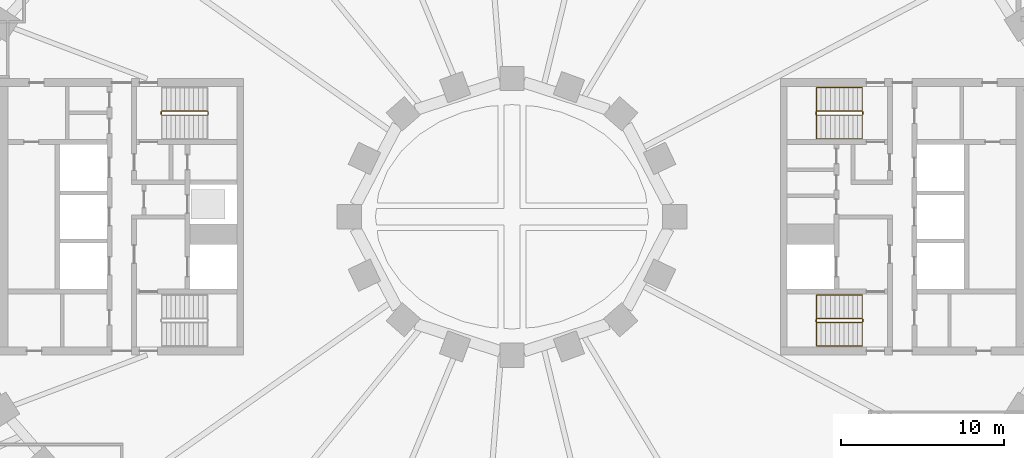
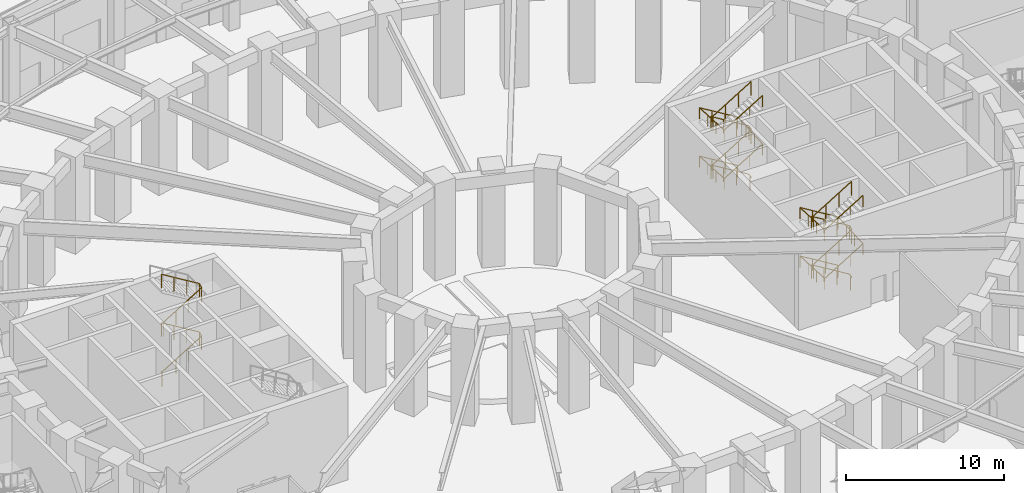
# One storey, part 75 of 79: 5 railings.
"""IFC4 building model written with IfcOpenShell, lengths in metres."""

from ifc_helpers import new_model, si_unit, direction, frame, origin, origin_2d, place, context, subcontext, project, spatial, rectangle, extrude, material, type_object, element, save


model = new_model("IFC4")

# Units and contexts
model_context = context("Model", 3, precision=1e-05, world=origin(), true_north=direction((0.0, 1.0)))
body_context = subcontext(model_context, "Body", "Model", "MODEL_VIEW")
ifc_project = project(units=[si_unit("LENGTHUNIT", "METRE"), si_unit("AREAUNIT", "SQUARE_METRE"), si_unit("VOLUMEUNIT", "CUBIC_METRE"), si_unit("PLANEANGLEUNIT", "RADIAN"), si_unit("MASSUNIT", "GRAM", prefix="KILO")], contexts=[model_context])

# Site, building, storey
site_placement = place(None, origin())
site = spatial("IfcSite", under=ifc_project, at=site_placement, CompositionType="ELEMENT")
building_placement = place(site_placement, origin())
building = spatial("IfcBuilding", under=site, at=building_placement, Name="Noorbagh Ring Tower", CompositionType="ELEMENT")
storey_placement = place(building_placement, origin())
storey = spatial("IfcBuildingStorey", under=building, at=storey_placement, Name="L00", CompositionType="ELEMENT", Elevation=0.0)

# Railings
ifc_material_1 = material(Name="Stainless steel", Category="steel")
railing_type_1 = type_object("IfcRailingType", Name="CORE-STAIR-GUARD", PredefinedType="GUARDRAIL", material=ifc_material_1)
railing_1_placement = place(storey_placement, frame((-21.580078125, 6.300048828125, 0.0)))
element("IfcRailing", 1, at=railing_1_placement, inside=storey, type_object=railing_type_1, Name="L00 ST1 stair guard", PredefinedType="GUARDRAIL", context=body_context, shape_type="SweptSolid", body=[
    extrude(rectangle(XDim=0.048095703125, YDim=0.048095703125, at=origin_2d()), frame((0.0, 0.0, 1.076171875), z_axis=(0.0, 1.0, 0.0), x_axis=(-1.0, 0.0, 0.0)), (0.0, 0.0, 1.0), 0.14990234375),
    extrude(rectangle(XDim=0.048095703125, YDim=0.048095703125, at=origin_2d()), frame((0.0, 0.14990234375, 1.076171875), z_axis=(0.18713932023, -0.747644406186, 0.637186563514), x_axis=(0.970072785993, 0.242814311512, 0.0)), (0.0, 0.0, 1.0), 0.267333984375),
    extrude(rectangle(XDim=0.048095703125, YDim=0.048095703125, at=origin_2d()), frame((0.050048828125, -0.050048828125, 1.24658203125), z_axis=(0.854169791009, 0.0, 0.51999420009), x_axis=(0.0, 1.0, 0.0)), (0.0, 0.0, 1.0), 3.278076171875),
    extrude(rectangle(XDim=0.048095703125, YDim=0.048095703125, at=origin_2d()), frame((2.85009765625, -0.050048828125, 2.951171875), z_axis=(0.707106781187, 0.707106781187, 0.0), x_axis=(-0.707106781187, 0.707106781187, 0.0)), (0.0, 0.0, 1.0), 0.07080078125),
    extrude(rectangle(XDim=0.048095703125, YDim=0.048095703125, at=origin_2d()), frame((2.900146484375, 0.0, 2.951171875), z_axis=(0.0, 1.0, 0.0), x_axis=(-1.0, 0.0, 0.0)), (0.0, 0.0, 1.0), 0.14990234375),
    extrude(rectangle(XDim=0.048095703125, YDim=0.048095703125, at=origin_2d()), frame((2.900146484375, 0.14990234375, 2.951171875), z_axis=(-0.271230943075, 0.271230943075, 0.923508284228), x_axis=(-0.707106781187, -0.707106781187, 0.0)), (0.0, 0.0, 1.0), 0.1845703125),
    extrude(rectangle(XDim=0.048095703125, YDim=0.048095703125, at=origin_2d()), frame((2.85009765625, 0.199951171875, 3.12158203125), z_axis=(-0.854169791009, 0.0, 0.51999420009), x_axis=(0.0, -1.0, 0.0)), (0.0, 0.0, 1.0), 3.278076171875),
    extrude(rectangle(XDim=0.048095703125, YDim=0.048095703125, at=origin_2d()), frame((0.050048828125, 0.199951171875, 4.826171875), z_axis=(-0.242814311512, -0.970072785993, 0.0), x_axis=(0.970072785993, -0.242814311512, 0.0)), (0.0, 0.0, 1.0), 0.2060546875),
    extrude(rectangle(XDim=0.048095703125, YDim=0.048095703125, at=origin_2d()), frame((0.0, 0.0, 4.826171875), z_axis=(0.0, 1.0, 0.0), x_axis=(-1.0, 0.0, 0.0)), (0.0, 0.0, 1.0), 0.14990234375),
    extrude(rectangle(XDim=0.048095703125, YDim=0.048095703125, at=origin_2d()), frame((0.0, 0.14990234375, 4.826171875), z_axis=(0.18713932023, -0.747644406186, 0.637186563514), x_axis=(0.970072785993, 0.242814311512, 0.0)), (0.0, 0.0, 1.0), 0.267333984375),
    extrude(rectangle(XDim=0.048095703125, YDim=0.048095703125, at=origin_2d()), frame((0.050048828125, -0.050048828125, 4.99658203125), z_axis=(0.854169791009, 0.0, 0.51999420009), x_axis=(0.0, 1.0, 0.0)), (0.0, 0.0, 1.0), 3.278076171875),
    extrude(rectangle(XDim=0.048095703125, YDim=0.048095703125, at=origin_2d()), frame((2.85009765625, -0.050048828125, 6.701171875), z_axis=(0.707106781187, 0.707106781187, 0.0), x_axis=(-0.707106781187, 0.707106781187, 0.0)), (0.0, 0.0, 1.0), 0.07080078125),
    extrude(rectangle(XDim=0.048095703125, YDim=0.048095703125, at=origin_2d()), frame((2.900146484375, 0.0, 6.701171875), z_axis=(0.0, 1.0, 0.0), x_axis=(-1.0, 0.0, 0.0)), (0.0, 0.0, 1.0), 0.14990234375),
    extrude(rectangle(XDim=0.048095703125, YDim=0.048095703125, at=origin_2d()), frame((2.900146484375, 0.14990234375, 6.701171875), z_axis=(-0.271230943075, 0.271230943075, 0.923508284228), x_axis=(-0.707106781187, -0.707106781187, 0.0)), (0.0, 0.0, 1.0), 0.1845703125),
    extrude(rectangle(XDim=0.048095703125, YDim=0.048095703125, at=origin_2d()), frame((2.85009765625, 0.199951171875, 6.87158203125), z_axis=(-0.854169791009, 0.0, 0.51999420009), x_axis=(0.0, -1.0, 0.0)), (0.0, 0.0, 1.0), 3.278076171875),
    extrude(rectangle(XDim=0.0419921875, YDim=0.0419921875, at=origin_2d()), origin(), (0.0, 0.0, 1.0), 1.052001953125),
    extrude(rectangle(XDim=0.0419921875, YDim=0.0419921875, at=origin_2d()), frame((0.9833984375, -0.050048828125, 0.738525390625)), (0.0, 0.0, 1.0), 1.052001953125),
    extrude(rectangle(XDim=0.0419921875, YDim=0.0419921875, at=origin_2d()), frame((1.916748046875, -0.050048828125, 1.306884765625)), (0.0, 0.0, 1.0), 1.052001953125),
    extrude(rectangle(XDim=0.0419921875, YDim=0.0419921875, at=origin_2d()), frame((2.85009765625, -0.050048828125, 1.875)), (0.0, 0.0, 1.0), 1.052001953125),
    extrude(rectangle(XDim=0.0419921875, YDim=0.0419921875, at=origin_2d()), frame((2.85009765625, 0.199951171875, 2.04541015625)), (0.0, 0.0, 1.0), 1.052001953125),
    extrude(rectangle(XDim=0.0419921875, YDim=0.0419921875, at=origin_2d()), frame((1.916748046875, 0.199951171875, 2.613525390625)), (0.0, 0.0, 1.0), 1.052001953125),
    extrude(rectangle(XDim=0.0419921875, YDim=0.0419921875, at=origin_2d()), frame((0.9833984375, 0.199951171875, 3.181884765625)), (0.0, 0.0, 1.0), 1.052001953125),
    extrude(rectangle(XDim=0.0419921875, YDim=0.0419921875, at=origin_2d()), frame((0.050048828125, 0.199951171875, 3.75)), (0.0, 0.0, 1.0), 1.052001953125),
    extrude(rectangle(XDim=0.0419921875, YDim=0.0419921875, at=origin_2d()), frame((0.050048828125, -0.050048828125, 3.92041015625)), (0.0, 0.0, 1.0), 1.052001953125),
    extrude(rectangle(XDim=0.0419921875, YDim=0.0419921875, at=origin_2d()), frame((0.9833984375, -0.050048828125, 4.488525390625)), (0.0, 0.0, 1.0), 1.052001953125),
    extrude(rectangle(XDim=0.0419921875, YDim=0.0419921875, at=origin_2d()), frame((1.916748046875, -0.050048828125, 5.056884765625)), (0.0, 0.0, 1.0), 1.052001953125),
    extrude(rectangle(XDim=0.0419921875, YDim=0.0419921875, at=origin_2d()), frame((2.85009765625, -0.050048828125, 5.625)), (0.0, 0.0, 1.0), 1.052001953125),
    extrude(rectangle(XDim=0.0419921875, YDim=0.0419921875, at=origin_2d()), frame((2.85009765625, 0.199951171875, 5.79541015625)), (0.0, 0.0, 1.0), 1.052001953125),
    extrude(rectangle(XDim=0.0419921875, YDim=0.0419921875, at=origin_2d()), frame((1.916748046875, 0.199951171875, 6.363525390625)), (0.0, 0.0, 1.0), 1.052001953125),
    extrude(rectangle(XDim=0.0419921875, YDim=0.0419921875, at=origin_2d()), frame((0.9833984375, 0.199951171875, 6.931884765625)), (0.0, 0.0, 1.0), 1.052001953125),
    extrude(rectangle(XDim=0.0419921875, YDim=0.0419921875, at=origin_2d()), frame((0.050048828125, 0.199951171875, 7.5)), (0.0, 0.0, 1.0), 1.052001953125),
])
railing_2_placement = place(storey_placement, frame((21.580078125, 6.449951171875, 0.0)))
element("IfcRailing", 2, at=railing_2_placement, inside=storey, type_object=railing_type_1, Name="L00 ST3 stair guard", PredefinedType="GUARDRAIL", context=body_context, shape_type="SweptSolid", body=[
    extrude(rectangle(XDim=0.048095703125, YDim=0.048095703125, at=origin_2d()), frame((0.0, 0.0, 1.076171875), z_axis=(0.0, -1.0, 0.0), x_axis=(1.0, 0.0, 0.0)), (0.0, 0.0, 1.0), 0.14990234375),
    extrude(rectangle(XDim=0.048095703125, YDim=0.048095703125, at=origin_2d()), frame((0.0, -0.14990234375, 1.076171875), z_axis=(-0.18713932023, 0.747644406186, 0.637186563514), x_axis=(-0.970072785993, -0.242814311512, 0.0)), (0.0, 0.0, 1.0), 0.267333984375),
    extrude(rectangle(XDim=0.048095703125, YDim=0.048095703125, at=origin_2d()), frame((-0.050048828125, 0.050048828125, 1.24658203125), z_axis=(-0.854169791009, 0.0, 0.51999420009), x_axis=(0.0, -1.0, 0.0)), (0.0, 0.0, 1.0), 3.278076171875),
    extrude(rectangle(XDim=0.048095703125, YDim=0.048095703125, at=origin_2d()), frame((-2.85009765625, 0.050048828125, 2.951171875), z_axis=(-0.707106781187, -0.707106781187, 0.0), x_axis=(0.707106781187, -0.707106781187, 0.0)), (0.0, 0.0, 1.0), 0.07080078125),
    extrude(rectangle(XDim=0.048095703125, YDim=0.048095703125, at=origin_2d()), frame((-2.900146484375, 0.0, 2.951171875), z_axis=(0.0, -1.0, 0.0), x_axis=(1.0, 0.0, 0.0)), (0.0, 0.0, 1.0), 0.14990234375),
    extrude(rectangle(XDim=0.048095703125, YDim=0.048095703125, at=origin_2d()), frame((-2.900146484375, -0.14990234375, 2.951171875), z_axis=(0.271230943075, -0.271230943075, 0.923508284228), x_axis=(0.707106781187, 0.707106781187, 0.0)), (0.0, 0.0, 1.0), 0.1845703125),
    extrude(rectangle(XDim=0.048095703125, YDim=0.048095703125, at=origin_2d()), frame((-2.85009765625, -0.199951171875, 3.12158203125), z_axis=(0.854169791009, 0.0, 0.51999420009), x_axis=(0.0, 1.0, 0.0)), (0.0, 0.0, 1.0), 3.278076171875),
    extrude(rectangle(XDim=0.048095703125, YDim=0.048095703125, at=origin_2d()), frame((-0.050048828125, -0.199951171875, 4.826171875), z_axis=(0.242814311512, 0.970072785993, 0.0), x_axis=(-0.970072785993, 0.242814311512, 0.0)), (0.0, 0.0, 1.0), 0.2060546875),
    extrude(rectangle(XDim=0.048095703125, YDim=0.048095703125, at=origin_2d()), frame((0.0, 0.0, 4.826171875), z_axis=(0.0, -1.0, 0.0), x_axis=(1.0, 0.0, 0.0)), (0.0, 0.0, 1.0), 0.14990234375),
    extrude(rectangle(XDim=0.048095703125, YDim=0.048095703125, at=origin_2d()), frame((0.0, -0.14990234375, 4.826171875), z_axis=(-0.18713932023, 0.747644406186, 0.637186563514), x_axis=(-0.970072785993, -0.242814311512, 0.0)), (0.0, 0.0, 1.0), 0.267333984375),
    extrude(rectangle(XDim=0.048095703125, YDim=0.048095703125, at=origin_2d()), frame((-0.050048828125, 0.050048828125, 4.99658203125), z_axis=(-0.854169791009, 0.0, 0.51999420009), x_axis=(0.0, -1.0, 0.0)), (0.0, 0.0, 1.0), 3.278076171875),
    extrude(rectangle(XDim=0.048095703125, YDim=0.048095703125, at=origin_2d()), frame((-2.85009765625, 0.050048828125, 6.701171875), z_axis=(-0.707106781187, -0.707106781187, 0.0), x_axis=(0.707106781187, -0.707106781187, 0.0)), (0.0, 0.0, 1.0), 0.07080078125),
    extrude(rectangle(XDim=0.048095703125, YDim=0.048095703125, at=origin_2d()), frame((-2.900146484375, 0.0, 6.701171875), z_axis=(0.0, -1.0, 0.0), x_axis=(1.0, 0.0, 0.0)), (0.0, 0.0, 1.0), 0.14990234375),
    extrude(rectangle(XDim=0.048095703125, YDim=0.048095703125, at=origin_2d()), frame((-2.900146484375, -0.14990234375, 6.701171875), z_axis=(0.271230943075, -0.271230943075, 0.923508284228), x_axis=(0.707106781187, 0.707106781187, 0.0)), (0.0, 0.0, 1.0), 0.1845703125),
    extrude(rectangle(XDim=0.048095703125, YDim=0.048095703125, at=origin_2d()), frame((-2.85009765625, -0.199951171875, 6.87158203125), z_axis=(0.854169791009, 0.0, 0.51999420009), x_axis=(0.0, 1.0, 0.0)), (0.0, 0.0, 1.0), 3.278076171875),
    extrude(rectangle(XDim=0.0419921875, YDim=0.0419921875, at=origin_2d()), origin(), (0.0, 0.0, 1.0), 1.052001953125),
    extrude(rectangle(XDim=0.0419921875, YDim=0.0419921875, at=origin_2d()), frame((-0.9833984375, 0.050048828125, 0.738525390625)), (0.0, 0.0, 1.0), 1.052001953125),
    extrude(rectangle(XDim=0.0419921875, YDim=0.0419921875, at=origin_2d()), frame((-1.916748046875, 0.050048828125, 1.306884765625)), (0.0, 0.0, 1.0), 1.052001953125),
    extrude(rectangle(XDim=0.0419921875, YDim=0.0419921875, at=origin_2d()), frame((-2.85009765625, 0.050048828125, 1.875)), (0.0, 0.0, 1.0), 1.052001953125),
    extrude(rectangle(XDim=0.0419921875, YDim=0.0419921875, at=origin_2d()), frame((-2.85009765625, -0.199951171875, 2.04541015625)), (0.0, 0.0, 1.0), 1.052001953125),
    extrude(rectangle(XDim=0.0419921875, YDim=0.0419921875, at=origin_2d()), frame((-1.916748046875, -0.199951171875, 2.613525390625)), (0.0, 0.0, 1.0), 1.052001953125),
    extrude(rectangle(XDim=0.0419921875, YDim=0.0419921875, at=origin_2d()), frame((-0.9833984375, -0.199951171875, 3.181884765625)), (0.0, 0.0, 1.0), 1.052001953125),
    extrude(rectangle(XDim=0.0419921875, YDim=0.0419921875, at=origin_2d()), frame((-0.050048828125, -0.199951171875, 3.75)), (0.0, 0.0, 1.0), 1.052001953125),
    extrude(rectangle(XDim=0.0419921875, YDim=0.0419921875, at=origin_2d()), frame((-0.050048828125, 0.050048828125, 3.92041015625)), (0.0, 0.0, 1.0), 1.052001953125),
    extrude(rectangle(XDim=0.0419921875, YDim=0.0419921875, at=origin_2d()), frame((-0.9833984375, 0.050048828125, 4.488525390625)), (0.0, 0.0, 1.0), 1.052001953125),
    extrude(rectangle(XDim=0.0419921875, YDim=0.0419921875, at=origin_2d()), frame((-1.916748046875, 0.050048828125, 5.056884765625)), (0.0, 0.0, 1.0), 1.052001953125),
    extrude(rectangle(XDim=0.0419921875, YDim=0.0419921875, at=origin_2d()), frame((-2.85009765625, 0.050048828125, 5.625)), (0.0, 0.0, 1.0), 1.052001953125),
    extrude(rectangle(XDim=0.0419921875, YDim=0.0419921875, at=origin_2d()), frame((-2.85009765625, -0.199951171875, 5.79541015625)), (0.0, 0.0, 1.0), 1.052001953125),
    extrude(rectangle(XDim=0.0419921875, YDim=0.0419921875, at=origin_2d()), frame((-1.916748046875, -0.199951171875, 6.363525390625)), (0.0, 0.0, 1.0), 1.052001953125),
    extrude(rectangle(XDim=0.0419921875, YDim=0.0419921875, at=origin_2d()), frame((-0.9833984375, -0.199951171875, 6.931884765625)), (0.0, 0.0, 1.0), 1.052001953125),
    extrude(rectangle(XDim=0.0419921875, YDim=0.0419921875, at=origin_2d()), frame((-0.050048828125, -0.199951171875, 7.5)), (0.0, 0.0, 1.0), 1.052001953125),
])
railing_3_placement = place(storey_placement, frame((21.580078125, -6.300048828125, 0.0)))
element("IfcRailing", 3, at=railing_3_placement, inside=storey, type_object=railing_type_1, Name="L00 ST4 stair guard", PredefinedType="GUARDRAIL", context=body_context, shape_type="SweptSolid", body=[
    extrude(rectangle(XDim=0.048095703125, YDim=0.048095703125, at=origin_2d()), frame((0.0, 0.0, 1.076171875), z_axis=(0.0, -1.0, 0.0), x_axis=(1.0, 0.0, 0.0)), (0.0, 0.0, 1.0), 0.14990234375),
    extrude(rectangle(XDim=0.048095703125, YDim=0.048095703125, at=origin_2d()), frame((0.0, -0.14990234375, 1.076171875), z_axis=(-0.18713932023, 0.747644406186, 0.637186563514), x_axis=(-0.970072785993, -0.242814311512, 0.0)), (0.0, 0.0, 1.0), 0.267333984375),
    extrude(rectangle(XDim=0.048095703125, YDim=0.048095703125, at=origin_2d()), frame((-0.050048828125, 0.050048828125, 1.24658203125), z_axis=(-0.854169791009, 0.0, 0.51999420009), x_axis=(0.0, -1.0, 0.0)), (0.0, 0.0, 1.0), 3.278076171875),
    extrude(rectangle(XDim=0.048095703125, YDim=0.048095703125, at=origin_2d()), frame((-2.85009765625, 0.050048828125, 2.951171875), z_axis=(-0.707106781187, -0.707106781187, 0.0), x_axis=(0.707106781187, -0.707106781187, 0.0)), (0.0, 0.0, 1.0), 0.07080078125),
    extrude(rectangle(XDim=0.048095703125, YDim=0.048095703125, at=origin_2d()), frame((-2.900146484375, 0.0, 2.951171875), z_axis=(0.0, -1.0, 0.0), x_axis=(1.0, 0.0, 0.0)), (0.0, 0.0, 1.0), 0.14990234375),
    extrude(rectangle(XDim=0.048095703125, YDim=0.048095703125, at=origin_2d()), frame((-2.900146484375, -0.14990234375, 2.951171875), z_axis=(0.271230943075, -0.271230943075, 0.923508284228), x_axis=(0.707106781187, 0.707106781187, 0.0)), (0.0, 0.0, 1.0), 0.1845703125),
    extrude(rectangle(XDim=0.048095703125, YDim=0.048095703125, at=origin_2d()), frame((-2.85009765625, -0.199951171875, 3.12158203125), z_axis=(0.854169791009, 0.0, 0.51999420009), x_axis=(0.0, 1.0, 0.0)), (0.0, 0.0, 1.0), 3.278076171875),
    extrude(rectangle(XDim=0.048095703125, YDim=0.048095703125, at=origin_2d()), frame((-0.050048828125, -0.199951171875, 4.826171875), z_axis=(0.242814311512, 0.970072785993, 0.0), x_axis=(-0.970072785993, 0.242814311512, 0.0)), (0.0, 0.0, 1.0), 0.2060546875),
    extrude(rectangle(XDim=0.048095703125, YDim=0.048095703125, at=origin_2d()), frame((0.0, 0.0, 4.826171875), z_axis=(0.0, -1.0, 0.0), x_axis=(1.0, 0.0, 0.0)), (0.0, 0.0, 1.0), 0.14990234375),
    extrude(rectangle(XDim=0.048095703125, YDim=0.048095703125, at=origin_2d()), frame((0.0, -0.14990234375, 4.826171875), z_axis=(-0.18713932023, 0.747644406186, 0.637186563514), x_axis=(-0.970072785993, -0.242814311512, 0.0)), (0.0, 0.0, 1.0), 0.267333984375),
    extrude(rectangle(XDim=0.048095703125, YDim=0.048095703125, at=origin_2d()), frame((-0.050048828125, 0.050048828125, 4.99658203125), z_axis=(-0.854169791009, 0.0, 0.51999420009), x_axis=(0.0, -1.0, 0.0)), (0.0, 0.0, 1.0), 3.278076171875),
    extrude(rectangle(XDim=0.048095703125, YDim=0.048095703125, at=origin_2d()), frame((-2.85009765625, 0.050048828125, 6.701171875), z_axis=(-0.707106781187, -0.707106781187, 0.0), x_axis=(0.707106781187, -0.707106781187, 0.0)), (0.0, 0.0, 1.0), 0.07080078125),
    extrude(rectangle(XDim=0.048095703125, YDim=0.048095703125, at=origin_2d()), frame((-2.900146484375, 0.0, 6.701171875), z_axis=(0.0, -1.0, 0.0), x_axis=(1.0, 0.0, 0.0)), (0.0, 0.0, 1.0), 0.14990234375),
    extrude(rectangle(XDim=0.048095703125, YDim=0.048095703125, at=origin_2d()), frame((-2.900146484375, -0.14990234375, 6.701171875), z_axis=(0.271230943075, -0.271230943075, 0.923508284228), x_axis=(0.707106781187, 0.707106781187, 0.0)), (0.0, 0.0, 1.0), 0.1845703125),
    extrude(rectangle(XDim=0.048095703125, YDim=0.048095703125, at=origin_2d()), frame((-2.85009765625, -0.199951171875, 6.87158203125), z_axis=(0.854169791009, 0.0, 0.51999420009), x_axis=(0.0, 1.0, 0.0)), (0.0, 0.0, 1.0), 3.278076171875),
    extrude(rectangle(XDim=0.0419921875, YDim=0.0419921875, at=origin_2d()), origin(), (0.0, 0.0, 1.0), 1.052001953125),
    extrude(rectangle(XDim=0.0419921875, YDim=0.0419921875, at=origin_2d()), frame((-0.9833984375, 0.050048828125, 0.738525390625)), (0.0, 0.0, 1.0), 1.052001953125),
    extrude(rectangle(XDim=0.0419921875, YDim=0.0419921875, at=origin_2d()), frame((-1.916748046875, 0.050048828125, 1.306884765625)), (0.0, 0.0, 1.0), 1.052001953125),
    extrude(rectangle(XDim=0.0419921875, YDim=0.0419921875, at=origin_2d()), frame((-2.85009765625, 0.050048828125, 1.875)), (0.0, 0.0, 1.0), 1.052001953125),
    extrude(rectangle(XDim=0.0419921875, YDim=0.0419921875, at=origin_2d()), frame((-2.85009765625, -0.199951171875, 2.04541015625)), (0.0, 0.0, 1.0), 1.052001953125),
    extrude(rectangle(XDim=0.0419921875, YDim=0.0419921875, at=origin_2d()), frame((-1.916748046875, -0.199951171875, 2.613525390625)), (0.0, 0.0, 1.0), 1.052001953125),
    extrude(rectangle(XDim=0.0419921875, YDim=0.0419921875, at=origin_2d()), frame((-0.9833984375, -0.199951171875, 3.181884765625)), (0.0, 0.0, 1.0), 1.052001953125),
    extrude(rectangle(XDim=0.0419921875, YDim=0.0419921875, at=origin_2d()), frame((-0.050048828125, -0.199951171875, 3.75)), (0.0, 0.0, 1.0), 1.052001953125),
    extrude(rectangle(XDim=0.0419921875, YDim=0.0419921875, at=origin_2d()), frame((-0.050048828125, 0.050048828125, 3.92041015625)), (0.0, 0.0, 1.0), 1.052001953125),
    extrude(rectangle(XDim=0.0419921875, YDim=0.0419921875, at=origin_2d()), frame((-0.9833984375, 0.050048828125, 4.488525390625)), (0.0, 0.0, 1.0), 1.052001953125),
    extrude(rectangle(XDim=0.0419921875, YDim=0.0419921875, at=origin_2d()), frame((-1.916748046875, 0.050048828125, 5.056884765625)), (0.0, 0.0, 1.0), 1.052001953125),
    extrude(rectangle(XDim=0.0419921875, YDim=0.0419921875, at=origin_2d()), frame((-2.85009765625, 0.050048828125, 5.625)), (0.0, 0.0, 1.0), 1.052001953125),
    extrude(rectangle(XDim=0.0419921875, YDim=0.0419921875, at=origin_2d()), frame((-2.85009765625, -0.199951171875, 5.79541015625)), (0.0, 0.0, 1.0), 1.052001953125),
    extrude(rectangle(XDim=0.0419921875, YDim=0.0419921875, at=origin_2d()), frame((-1.916748046875, -0.199951171875, 6.363525390625)), (0.0, 0.0, 1.0), 1.052001953125),
    extrude(rectangle(XDim=0.0419921875, YDim=0.0419921875, at=origin_2d()), frame((-0.9833984375, -0.199951171875, 6.931884765625)), (0.0, 0.0, 1.0), 1.052001953125),
    extrude(rectangle(XDim=0.0419921875, YDim=0.0419921875, at=origin_2d()), frame((-0.050048828125, -0.199951171875, 7.5)), (0.0, 0.0, 1.0), 1.052001953125),
])
ifc_material_2 = material(Name="Stainless steel", Category="steel")
railing_type_2 = type_object("IfcRailingType", Name="CORE-STAIR-HANDRAIL", PredefinedType="HANDRAIL", material=ifc_material_2)
railing_4_placement = place(storey_placement, frame((21.530029296875, 7.949951171875, 0.17041015625)))
element("IfcRailing", 4, at=railing_4_placement, inside=storey, type_object=railing_type_2, Name="L00 ST3 stair handrail", PredefinedType="HANDRAIL", context=body_context, shape_type="SweptSolid", body=[
    extrude(rectangle(XDim=0.048095703125, YDim=0.048095703125, at=origin_2d()), frame((0.0, 0.0, 0.8759765625), z_axis=(-0.854169791009, 0.0, 0.51999420009), x_axis=(0.0, -1.0, 0.0)), (0.0, 0.0, 1.0), 3.278076171875),
    extrude(rectangle(XDim=0.048095703125, YDim=0.048095703125, at=origin_2d()), frame((-2.800048828125, 0.0, 2.58056640625), z_axis=(0.0, -0.998539792002, 0.054021142057), x_axis=(1.0, 0.0, 0.0)), (0.0, 0.0, 1.0), 3.154541015625),
    extrude(rectangle(XDim=0.048095703125, YDim=0.048095703125, at=origin_2d()), frame((-2.800048828125, -3.14990234375, 2.7509765625), z_axis=(0.854169791009, 0.0, 0.51999420009), x_axis=(0.0, 1.0, 0.0)), (0.0, 0.0, 1.0), 3.278076171875),
    extrude(rectangle(XDim=0.048095703125, YDim=0.048095703125, at=origin_2d()), frame((0.0, -3.14990234375, 4.45556640625), z_axis=(0.0, 0.998539792002, 0.054021142057), x_axis=(-1.0, 0.0, 0.0)), (0.0, 0.0, 1.0), 3.154541015625),
    extrude(rectangle(XDim=0.048095703125, YDim=0.048095703125, at=origin_2d()), frame((0.0, 0.0, 4.6259765625), z_axis=(-0.854169791009, 0.0, 0.51999420009), x_axis=(0.0, -1.0, 0.0)), (0.0, 0.0, 1.0), 3.278076171875),
    extrude(rectangle(XDim=0.048095703125, YDim=0.048095703125, at=origin_2d()), frame((-2.800048828125, 0.0, 6.33056640625), z_axis=(0.0, -0.998539792002, 0.054021142057), x_axis=(1.0, 0.0, 0.0)), (0.0, 0.0, 1.0), 3.154541015625),
    extrude(rectangle(XDim=0.048095703125, YDim=0.048095703125, at=origin_2d()), frame((-2.800048828125, -3.14990234375, 6.5009765625), z_axis=(0.854169791009, 0.0, 0.51999420009), x_axis=(0.0, 1.0, 0.0)), (0.0, 0.0, 1.0), 3.278076171875),
    extrude(rectangle(XDim=0.0419921875, YDim=0.0419921875, at=origin_2d()), origin(), (0.0, 0.0, 1.0), 0.851806640625),
    extrude(rectangle(XDim=0.0419921875, YDim=0.0419921875, at=origin_2d()), frame((-0.933349609375, 0.0, 0.568115234375)), (0.0, 0.0, 1.0), 0.851806640625),
    extrude(rectangle(XDim=0.0419921875, YDim=0.0419921875, at=origin_2d()), frame((-1.86669921875, 0.0, 1.136474609375)), (0.0, 0.0, 1.0), 0.851806640625),
    extrude(rectangle(XDim=0.0419921875, YDim=0.0419921875, at=origin_2d()), frame((-2.800048828125, 0.0, 1.70458984375)), (0.0, 0.0, 1.0), 0.851806640625),
    extrude(rectangle(XDim=0.0419921875, YDim=0.0419921875, at=origin_2d()), frame((-2.800048828125, -1.050048828125, 1.761474609375)), (0.0, 0.0, 1.0), 0.851806640625),
    extrude(rectangle(XDim=0.0419921875, YDim=0.0419921875, at=origin_2d()), frame((-2.800048828125, -2.099853515625, 1.818115234375)), (0.0, 0.0, 1.0), 0.851806640625),
    extrude(rectangle(XDim=0.0419921875, YDim=0.0419921875, at=origin_2d()), frame((-2.800048828125, -3.14990234375, 1.875)), (0.0, 0.0, 1.0), 0.851806640625),
    extrude(rectangle(XDim=0.0419921875, YDim=0.0419921875, at=origin_2d()), frame((-1.86669921875, -3.14990234375, 2.443115234375)), (0.0, 0.0, 1.0), 0.851806640625),
    extrude(rectangle(XDim=0.0419921875, YDim=0.0419921875, at=origin_2d()), frame((-0.933349609375, -3.14990234375, 3.011474609375)), (0.0, 0.0, 1.0), 0.851806640625),
    extrude(rectangle(XDim=0.0419921875, YDim=0.0419921875, at=origin_2d()), frame((0.0, -3.14990234375, 3.57958984375)), (0.0, 0.0, 1.0), 0.851806640625),
    extrude(rectangle(XDim=0.0419921875, YDim=0.0419921875, at=origin_2d()), frame((0.0, -2.099853515625, 3.636474609375)), (0.0, 0.0, 1.0), 0.851806640625),
    extrude(rectangle(XDim=0.0419921875, YDim=0.0419921875, at=origin_2d()), frame((0.0, -1.050048828125, 3.693115234375)), (0.0, 0.0, 1.0), 0.851806640625),
    extrude(rectangle(XDim=0.0419921875, YDim=0.0419921875, at=origin_2d()), frame((0.0, 0.0, 3.75)), (0.0, 0.0, 1.0), 0.851806640625),
    extrude(rectangle(XDim=0.0419921875, YDim=0.0419921875, at=origin_2d()), frame((-0.933349609375, 0.0, 4.318115234375)), (0.0, 0.0, 1.0), 0.851806640625),
    extrude(rectangle(XDim=0.0419921875, YDim=0.0419921875, at=origin_2d()), frame((-1.86669921875, 0.0, 4.886474609375)), (0.0, 0.0, 1.0), 0.851806640625),
    extrude(rectangle(XDim=0.0419921875, YDim=0.0419921875, at=origin_2d()), frame((-2.800048828125, 0.0, 5.45458984375)), (0.0, 0.0, 1.0), 0.851806640625),
    extrude(rectangle(XDim=0.0419921875, YDim=0.0419921875, at=origin_2d()), frame((-2.800048828125, -1.050048828125, 5.511474609375)), (0.0, 0.0, 1.0), 0.851806640625),
    extrude(rectangle(XDim=0.0419921875, YDim=0.0419921875, at=origin_2d()), frame((-2.800048828125, -2.099853515625, 5.568115234375)), (0.0, 0.0, 1.0), 0.851806640625),
    extrude(rectangle(XDim=0.0419921875, YDim=0.0419921875, at=origin_2d()), frame((-2.800048828125, -3.14990234375, 5.625)), (0.0, 0.0, 1.0), 0.851806640625),
    extrude(rectangle(XDim=0.0419921875, YDim=0.0419921875, at=origin_2d()), frame((-1.86669921875, -3.14990234375, 6.193115234375)), (0.0, 0.0, 1.0), 0.851806640625),
    extrude(rectangle(XDim=0.0419921875, YDim=0.0419921875, at=origin_2d()), frame((-0.933349609375, -3.14990234375, 6.761474609375)), (0.0, 0.0, 1.0), 0.851806640625),
    extrude(rectangle(XDim=0.0419921875, YDim=0.0419921875, at=origin_2d()), frame((0.0, -3.14990234375, 7.32958984375)), (0.0, 0.0, 1.0), 0.851806640625),
])
railing_5_placement = place(storey_placement, frame((21.530029296875, -4.800048828125, 0.17041015625)))
element("IfcRailing", 5, at=railing_5_placement, inside=storey, type_object=railing_type_2, Name="L00 ST4 stair handrail", PredefinedType="HANDRAIL", context=body_context, shape_type="SweptSolid", body=[
    extrude(rectangle(XDim=0.048095703125, YDim=0.048095703125, at=origin_2d()), frame((0.0, 0.0, 0.8759765625), z_axis=(-0.854169791009, 0.0, 0.51999420009), x_axis=(0.0, -1.0, 0.0)), (0.0, 0.0, 1.0), 3.278076171875),
    extrude(rectangle(XDim=0.048095703125, YDim=0.048095703125, at=origin_2d()), frame((-2.800048828125, 0.0, 2.58056640625), z_axis=(0.0, -0.998539792002, 0.054021142057), x_axis=(1.0, 0.0, 0.0)), (0.0, 0.0, 1.0), 3.154541015625),
    extrude(rectangle(XDim=0.048095703125, YDim=0.048095703125, at=origin_2d()), frame((-2.800048828125, -3.14990234375, 2.7509765625), z_axis=(0.854169791009, 0.0, 0.51999420009), x_axis=(0.0, 1.0, 0.0)), (0.0, 0.0, 1.0), 3.278076171875),
    extrude(rectangle(XDim=0.048095703125, YDim=0.048095703125, at=origin_2d()), frame((0.0, -3.14990234375, 4.45556640625), z_axis=(0.0, 0.998539792002, 0.054021142057), x_axis=(-1.0, 0.0, 0.0)), (0.0, 0.0, 1.0), 3.154541015625),
    extrude(rectangle(XDim=0.048095703125, YDim=0.048095703125, at=origin_2d()), frame((0.0, 0.0, 4.6259765625), z_axis=(-0.854169791009, 0.0, 0.51999420009), x_axis=(0.0, -1.0, 0.0)), (0.0, 0.0, 1.0), 3.278076171875),
    extrude(rectangle(XDim=0.048095703125, YDim=0.048095703125, at=origin_2d()), frame((-2.800048828125, 0.0, 6.33056640625), z_axis=(0.0, -0.998539792002, 0.054021142057), x_axis=(1.0, 0.0, 0.0)), (0.0, 0.0, 1.0), 3.154541015625),
    extrude(rectangle(XDim=0.048095703125, YDim=0.048095703125, at=origin_2d()), frame((-2.800048828125, -3.14990234375, 6.5009765625), z_axis=(0.854169791009, 0.0, 0.51999420009), x_axis=(0.0, 1.0, 0.0)), (0.0, 0.0, 1.0), 3.278076171875),
    extrude(rectangle(XDim=0.0419921875, YDim=0.0419921875, at=origin_2d()), origin(), (0.0, 0.0, 1.0), 0.851806640625),
    extrude(rectangle(XDim=0.0419921875, YDim=0.0419921875, at=origin_2d()), frame((-0.933349609375, 0.0, 0.568115234375)), (0.0, 0.0, 1.0), 0.851806640625),
    extrude(rectangle(XDim=0.0419921875, YDim=0.0419921875, at=origin_2d()), frame((-1.86669921875, 0.0, 1.136474609375)), (0.0, 0.0, 1.0), 0.851806640625),
    extrude(rectangle(XDim=0.0419921875, YDim=0.0419921875, at=origin_2d()), frame((-2.800048828125, 0.0, 1.70458984375)), (0.0, 0.0, 1.0), 0.851806640625),
    extrude(rectangle(XDim=0.0419921875, YDim=0.0419921875, at=origin_2d()), frame((-2.800048828125, -1.050048828125, 1.761474609375)), (0.0, 0.0, 1.0), 0.851806640625),
    extrude(rectangle(XDim=0.0419921875, YDim=0.0419921875, at=origin_2d()), frame((-2.800048828125, -2.099853515625, 1.818115234375)), (0.0, 0.0, 1.0), 0.851806640625),
    extrude(rectangle(XDim=0.0419921875, YDim=0.0419921875, at=origin_2d()), frame((-2.800048828125, -3.14990234375, 1.875)), (0.0, 0.0, 1.0), 0.851806640625),
    extrude(rectangle(XDim=0.0419921875, YDim=0.0419921875, at=origin_2d()), frame((-1.86669921875, -3.14990234375, 2.443115234375)), (0.0, 0.0, 1.0), 0.851806640625),
    extrude(rectangle(XDim=0.0419921875, YDim=0.0419921875, at=origin_2d()), frame((-0.933349609375, -3.14990234375, 3.011474609375)), (0.0, 0.0, 1.0), 0.851806640625),
    extrude(rectangle(XDim=0.0419921875, YDim=0.0419921875, at=origin_2d()), frame((0.0, -3.14990234375, 3.57958984375)), (0.0, 0.0, 1.0), 0.851806640625),
    extrude(rectangle(XDim=0.0419921875, YDim=0.0419921875, at=origin_2d()), frame((0.0, -2.099853515625, 3.636474609375)), (0.0, 0.0, 1.0), 0.851806640625),
    extrude(rectangle(XDim=0.0419921875, YDim=0.0419921875, at=origin_2d()), frame((0.0, -1.050048828125, 3.693115234375)), (0.0, 0.0, 1.0), 0.851806640625),
    extrude(rectangle(XDim=0.0419921875, YDim=0.0419921875, at=origin_2d()), frame((0.0, 0.0, 3.75)), (0.0, 0.0, 1.0), 0.851806640625),
    extrude(rectangle(XDim=0.0419921875, YDim=0.0419921875, at=origin_2d()), frame((-0.933349609375, 0.0, 4.318115234375)), (0.0, 0.0, 1.0), 0.851806640625),
    extrude(rectangle(XDim=0.0419921875, YDim=0.0419921875, at=origin_2d()), frame((-1.86669921875, 0.0, 4.886474609375)), (0.0, 0.0, 1.0), 0.851806640625),
    extrude(rectangle(XDim=0.0419921875, YDim=0.0419921875, at=origin_2d()), frame((-2.800048828125, 0.0, 5.45458984375)), (0.0, 0.0, 1.0), 0.851806640625),
    extrude(rectangle(XDim=0.0419921875, YDim=0.0419921875, at=origin_2d()), frame((-2.800048828125, -1.050048828125, 5.511474609375)), (0.0, 0.0, 1.0), 0.851806640625),
    extrude(rectangle(XDim=0.0419921875, YDim=0.0419921875, at=origin_2d()), frame((-2.800048828125, -2.099853515625, 5.568115234375)), (0.0, 0.0, 1.0), 0.851806640625),
    extrude(rectangle(XDim=0.0419921875, YDim=0.0419921875, at=origin_2d()), frame((-2.800048828125, -3.14990234375, 5.625)), (0.0, 0.0, 1.0), 0.851806640625),
    extrude(rectangle(XDim=0.0419921875, YDim=0.0419921875, at=origin_2d()), frame((-1.86669921875, -3.14990234375, 6.193115234375)), (0.0, 0.0, 1.0), 0.851806640625),
    extrude(rectangle(XDim=0.0419921875, YDim=0.0419921875, at=origin_2d()), frame((-0.933349609375, -3.14990234375, 6.761474609375)), (0.0, 0.0, 1.0), 0.851806640625),
    extrude(rectangle(XDim=0.0419921875, YDim=0.0419921875, at=origin_2d()), frame((0.0, -3.14990234375, 7.32958984375)), (0.0, 0.0, 1.0), 0.851806640625),
])

save(model, "model.ifc")
